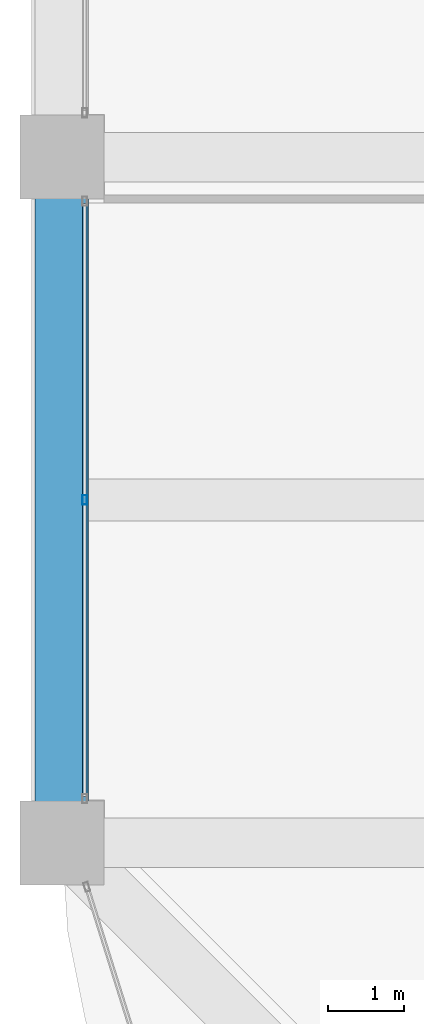
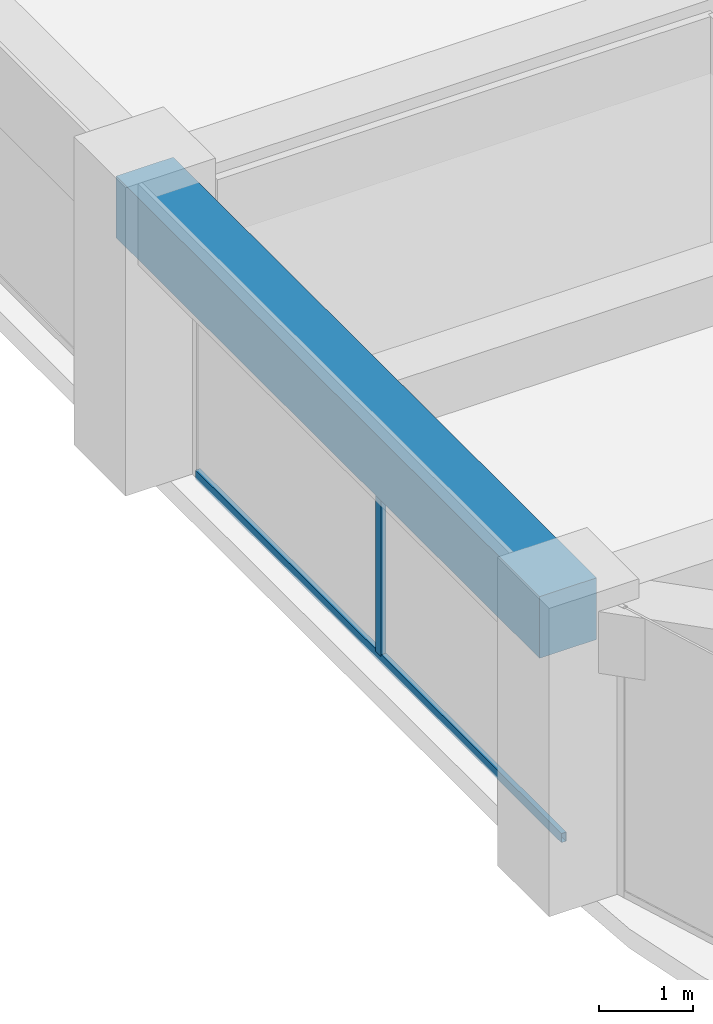
# One storey, part 7 of 44: 2 members, 1 beam, 1 element without a shape of its own.
"""IFC4 building model written with IfcOpenShell, lengths in metres."""

import ifcopenshell
import ifcopenshell.guid

model = None  # the IFC model being written
_history = None  # IfcOwnerHistory: only IFC2X3 demands one
_inside = {}  # id of a spatial element -> (the spatial element, [elements in it])
_under = {}  # id of a project, library or spatial element -> (it, [spatial elements below it])
_declared = {}  # id of a project -> (the project, [libraries it declares])
_typed = {}  # id of a type object -> (the type object, [elements of that type])
_made_of = {}  # id of a material, layer set ... -> (it, [elements and type objects made of it])


def new_model(schema):
    """Start an empty IFC model of exactly this schema.

    Asked for "IFC4X3", IfcOpenShell would pick the latest addendum, in which some entities
    have other attributes; the version numbers below select the first issue.
    IFC2X3 requires an IfcOwnerHistory on every rooted entity: one is made here for all.
    """
    global model, _history
    if schema == "IFC4X3":
        model = ifcopenshell.file(schema_version=(4, 3, 0, 0))
    else:
        model = ifcopenshell.file(schema=schema)
    _inside.clear()
    _under.clear()
    _declared.clear()
    _typed.clear()
    _made_of.clear()
    _history = None
    if model.schema == "IFC2X3":
        org = make("IfcOrganization", Name="unknown")
        user = make(
            "IfcPersonAndOrganization",
            ThePerson=make("IfcPerson", FamilyName="unknown"),
            TheOrganization=org,
        )
        app = make(
            "IfcApplication",
            ApplicationDeveloper=org,
            Version="unknown",
            ApplicationFullName="unknown",
            ApplicationIdentifier="unknown",
        )
        _history = make(
            "IfcOwnerHistory",
            OwningUser=user,
            OwningApplication=app,
            ChangeAction="ADDED",
            CreationDate=0,
        )
    return model


def make(cls, **values):
    """One entity of the class cls with the attributes given. An attribute that is None is left unset."""
    return model.create_entity(
        cls, **{name: value for name, value in values.items() if value is not None}
    )


def rooted(cls, **values):
    """An entity with a GlobalId (a new one), such as an element, a storey or a relation."""
    return make(cls, GlobalId=ifcopenshell.guid.new(), OwnerHistory=_history, **values)


def si_unit(unit_type, name, prefix=None):
    """IfcSIUnit, for example si_unit("LENGTHUNIT", "METRE", prefix="MILLI")."""
    return make("IfcSIUnit", UnitType=unit_type, Prefix=prefix, Name=name)


def assignment(units):
    """IfcUnitAssignment: the units of a project."""
    return None if units is None else make("IfcUnitAssignment", Units=units)


def point(xyz):
    """IfcCartesianPoint."""
    return None if xyz is None else make("IfcCartesianPoint", Coordinates=xyz)


def direction(xyz):
    """IfcDirection."""
    return None if xyz is None else make("IfcDirection", DirectionRatios=xyz)


def frame(location, z_axis=None, x_axis=None):
    """IfcAxis2Placement3D, a coordinate frame: its origin and axes. An axis left out is left unset."""
    return make(
        "IfcAxis2Placement3D",
        Location=point(location),
        Axis=direction(z_axis),
        RefDirection=direction(x_axis),
    )


def frame_2d(location, x_axis=None):
    """IfcAxis2Placement2D, a coordinate frame in the plane: its origin and x axis."""
    return make(
        "IfcAxis2Placement2D", Location=point(location), RefDirection=direction(x_axis)
    )


def origin():
    """The frame at (0, 0, 0) with its axes left unset."""
    return frame((0.0, 0.0, 0.0))


def origin_2d():
    """The frame at (0, 0) in the plane with its x axis left unset."""
    return frame_2d((0.0, 0.0))


def place(relative_to, where):
    """IfcLocalPlacement: puts the frame where relative to a parent placement (None: the world)."""
    return make(
        "IfcLocalPlacement", PlacementRelTo=relative_to, RelativePlacement=where
    )


def context(
    kind, dimensions, precision=None, world=None, true_north=None, identifier=None
):
    """IfcGeometricRepresentationContext, for example the 3D "Model" context."""
    return make(
        "IfcGeometricRepresentationContext",
        ContextIdentifier=identifier,
        ContextType=kind,
        CoordinateSpaceDimension=dimensions,
        Precision=precision,
        WorldCoordinateSystem=world,
        TrueNorth=true_north,
    )


def subcontext(parent, identifier, kind, view, scale=None):
    """IfcGeometricRepresentationSubContext, for example "Body" below "Model"."""
    return make(
        "IfcGeometricRepresentationSubContext",
        ContextIdentifier=identifier,
        ContextType=kind,
        ParentContext=parent,
        TargetScale=scale,
        TargetView=view,
    )


def project(units=None, contexts=None):
    """IfcProject with its units and contexts."""
    return rooted(
        "IfcProject",
        Name="project",
        RepresentationContexts=contexts,
        UnitsInContext=assignment(units),
    )


def spatial(cls, under=None, at=None, **own):
    """A site, building, storey or space (cls), placed at a placement, below another one or the project."""
    s = rooted(cls, ObjectPlacement=at, **own)
    if under is not None:
        _under.setdefault(under.id(), (under, []))[1].append(s)
    return s


def profile(cls, at=None, kind="AREA", **sizes):
    """A parametric profile (cls). Its sizes go by their IFC names, for example OverallWidth=200.0."""
    return make(cls, ProfileType=kind, Position=at, **sizes)


def rectangle(**sizes):
    """IfcRectangleProfileDef."""
    return profile("IfcRectangleProfileDef", **sizes)


def hollow_rectangle(**sizes):
    """IfcRectangleHollowProfileDef."""
    return profile("IfcRectangleHollowProfileDef", **sizes)


def extrude(swept, where, along, depth):
    """IfcExtrudedAreaSolid: the profile swept, set in the frame where, extruded along a direction by depth."""
    return make(
        "IfcExtrudedAreaSolid",
        SweptArea=swept,
        Position=where,
        ExtrudedDirection=direction(along),
        Depth=depth,
    )


def shape(context_of_items, identifier, shape_type, items):
    """IfcShapeRepresentation: the items that make up one representation, for example the "Body"."""
    return make(
        "IfcShapeRepresentation",
        ContextOfItems=context_of_items,
        RepresentationIdentifier=identifier,
        RepresentationType=shape_type,
        Items=items,
    )


def material(Name=None, Category=None):
    """IfcMaterial."""
    return make("IfcMaterial", Name=Name, Category=Category)


def material_profile(
    of_material, cross_section, Name=None, Category=None, Priority=None
):
    """IfcMaterialProfile: a cross section and its material."""
    return make(
        "IfcMaterialProfile",
        Name=Name,
        Material=of_material,
        Profile=cross_section,
        Priority=Priority,
        Category=Category,
    )


def profile_set(profiles, Name=None, composite=None):
    """IfcMaterialProfileSet."""
    return make(
        "IfcMaterialProfileSet",
        Name=Name,
        MaterialProfiles=profiles,
        CompositeProfile=composite,
    )


def made_of(thing, what):
    """Note that an element or type object is made of a material, layer set ...; save() writes the relation."""
    if what is not None:
        _made_of.setdefault(what.id(), (what, []))[1].append(thing)
    return thing


def type_object(cls, material=None, **own):
    """A type object (cls), such as IfcWallType, which elements share."""
    return made_of(rooted(cls, **own), material)


def element(
    cls,
    number,
    at=None,
    inside=None,
    cuts=None,
    type_object=None,
    material=None,
    context=None,
    identifier="Body",
    shape_type=None,
    held_by="IfcProductDefinitionShape",
    body=None,
    shapes=None,
    **own,
):
    """One element of the class cls, such as IfcWall. Its Tag is "e" and its number.

    at: its placement. inside: the storey or other place that contains it. cuts: it is an
    opening in that element (IfcRelVoidsElement). A single representation is given by context,
    identifier, shape_type and body (its items); several are given by shapes. held_by: the class
    of the entity that holds the representations. save() writes the other relations.
    """
    e = rooted(cls, Tag="e%d" % number, ObjectPlacement=at, **own)
    if body is not None:
        shapes = [shape(context, identifier, shape_type, body)]
    if shapes is not None:
        e.Representation = make(held_by, Representations=shapes)
    if inside is not None:
        _inside.setdefault(inside.id(), (inside, []))[1].append(e)
    if cuts is not None:
        rooted(
            "IfcRelVoidsElement", RelatingBuildingElement=cuts, RelatedOpeningElement=e
        )
    if type_object is not None:
        _typed.setdefault(type_object.id(), (type_object, []))[1].append(e)
    return made_of(e, material)


def aggregate(whole, parts):
    """IfcRelAggregates: a whole, such as a stair, and the parts it consists of."""
    return rooted("IfcRelAggregates", RelatingObject=whole, RelatedObjects=parts)


def save(model, path):
    """Write the relations noted so far, then the file.

    IfcRelAggregates (storeys below a building ...), IfcRelContainedInSpatialStructure (elements
    in a storey), IfcRelDefinesByType, IfcRelAssociatesMaterial and IfcRelDeclares: one each for
    every whole, place, type object, material and project.
    """
    for whole, parts in _under.values():
        aggregate(whole, parts)
    for where, things in _inside.values():
        rooted(
            "IfcRelContainedInSpatialStructure",
            RelatedElements=things,
            RelatingStructure=where,
        )
    for kind, things in _typed.values():
        rooted("IfcRelDefinesByType", RelatedObjects=things, RelatingType=kind)
    for what, things in _made_of.values():
        rooted("IfcRelAssociatesMaterial", RelatedObjects=things, RelatingMaterial=what)
    for by, libraries in _declared.values():
        rooted("IfcRelDeclares", RelatingContext=by, RelatedDefinitions=libraries)
    model.write(path)


model = new_model("IFC4")

# Units and contexts
model_context = context("Model", 3, precision=1e-05, world=origin(), true_north=direction((0.0, 1.0)))
body_context = subcontext(model_context, "Body", "Model", "MODEL_VIEW")
ifc_project = project(units=[si_unit("LENGTHUNIT", "METRE"), si_unit("AREAUNIT", "SQUARE_METRE"), si_unit("VOLUMEUNIT", "CUBIC_METRE"), si_unit("PLANEANGLEUNIT", "RADIAN"), si_unit("MASSUNIT", "GRAM", prefix="KILO")], contexts=[model_context])

# Site, building, storey
site_placement = place(None, origin())
site = spatial("IfcSite", under=ifc_project, at=site_placement, CompositionType="ELEMENT")
building_placement = place(site_placement, origin())
building = spatial("IfcBuilding", under=site, at=building_placement, Name="Zorevar Civic Tower", CompositionType="ELEMENT")
storey_placement = place(building_placement, frame((0.0, 0.0, 299.39990234375)))
storey = spatial("IfcBuildingStorey", under=building, at=storey_placement, Name="L73", CompositionType="ELEMENT", Elevation=299.39990234375)

# Curtain wall, members
ifc_material_1 = material(Name="Dark grey solar-control glass in black aluminium frame", Category="aluminium")
curtain_wall_type = type_object("IfcCurtainWallType", Name="Curtain wall CW5 top zone", PredefinedType="NOTDEFINED", material=ifc_material_1)
curtain_wall_placement = place(storey_placement, origin())
curtain_wall = element("IfcCurtainWall", 1, at=curtain_wall_placement, inside=storey, type_object=curtain_wall_type, Name="CW5 L73", PredefinedType="NOTDEFINED")
ifc_material_2 = material(Name="Aluminium, black anodised", Category="aluminium")
ifc_material_profile_1 = material_profile(ifc_material_2, hollow_rectangle(XDim=0.06005859375, YDim=0.1201171875, WallThickness=0.0029296875, at=origin_2d()), Name="AL 120x60x3")
ifc_profile_set_1 = profile_set([ifc_material_profile_1], Name="Aluminium, black anodised")
member_type_1 = type_object("IfcMemberType", Name="CW5 mullion AL 120x60x3", PredefinedType="MULLION", material=ifc_profile_set_1)
member_1_placement = place(storey_placement, frame((9.300048828125, 13.5, 0.06005859375), z_axis=(0.0, 0.0, 1.0), x_axis=(-1.0, 0.0, 0.0)))
member_1 = element("IfcMember", 2, at=member_1_placement, type_object=member_type_1, Name="CW5 mullion 2", PredefinedType="MULLION", context=body_context, shape_type="SweptSolid", body=[
    extrude(hollow_rectangle(XDim=0.06005859375, YDim=0.1201171875, WallThickness=0.0029296875, at=origin_2d()), origin(), (0.0, 0.0, 1.0), 2.89013671875),
])
ifc_material_3 = material(Name="Aluminium, black anodised", Category="aluminium")
ifc_material_profile_2 = material_profile(ifc_material_3, hollow_rectangle(XDim=0.06005859375, YDim=0.1201171875, WallThickness=0.0029296875, at=origin_2d()), Name="AL 120x60x3")
ifc_profile_set_2 = profile_set([ifc_material_profile_2], Name="Aluminium, black anodised")
member_type_2 = type_object("IfcMemberType", Name="CW5 transom AL 120x60x3", PredefinedType="USERDEFINED", material=ifc_profile_set_2)
member_2_placement = place(storey_placement, frame((9.300048828125, 9.610107421875, 0.030029296875), z_axis=(0.0, 1.0, 0.0), x_axis=(-1.0, 0.0, 0.0)))
member_2 = element("IfcMember", 3, at=member_2_placement, type_object=member_type_2, Name="CW5 sill transom", ObjectType="TRANSOM", PredefinedType="USERDEFINED", context=body_context, shape_type="SweptSolid", body=[
    extrude(hollow_rectangle(XDim=0.06005859375, YDim=0.1201171875, WallThickness=0.0029296875, at=origin_2d()), origin(), (0.0, 0.0, 1.0), 7.77978515625),
])
aggregate(curtain_wall, [member_1, member_2])

# Beam
ifc_material_4 = material(Name="Concrete C50/60", Category="concrete")
ifc_material_profile_3 = material_profile(ifc_material_4, rectangle(XDim=0.699951171875, YDim=0.800048828125, at=origin_2d()), Name="RC 700x800")
ifc_profile_set_3 = profile_set([ifc_material_profile_3], Name="Concrete C50/60")
beam_type = type_object("IfcBeamType", Name="Edge beam RC 700x800", PredefinedType="SPANDREL", material=ifc_profile_set_3)
beam_placement = place(storey_placement, frame((9.0, 9.0, 3.35009765625), z_axis=(0.0, 1.0, 0.0), x_axis=(-1.0, 0.0, 0.0)))
element("IfcBeam", 4, at=beam_placement, inside=storey, type_object=beam_type, Name="Edge beam L74", PredefinedType="SPANDREL", context=body_context, shape_type="SweptSolid", body=[
    extrude(rectangle(XDim=0.699951171875, YDim=0.800048828125, at=origin_2d()), origin(), (0.0, 0.0, 1.0), 9.0),
])

save(model, "model.ifc")
